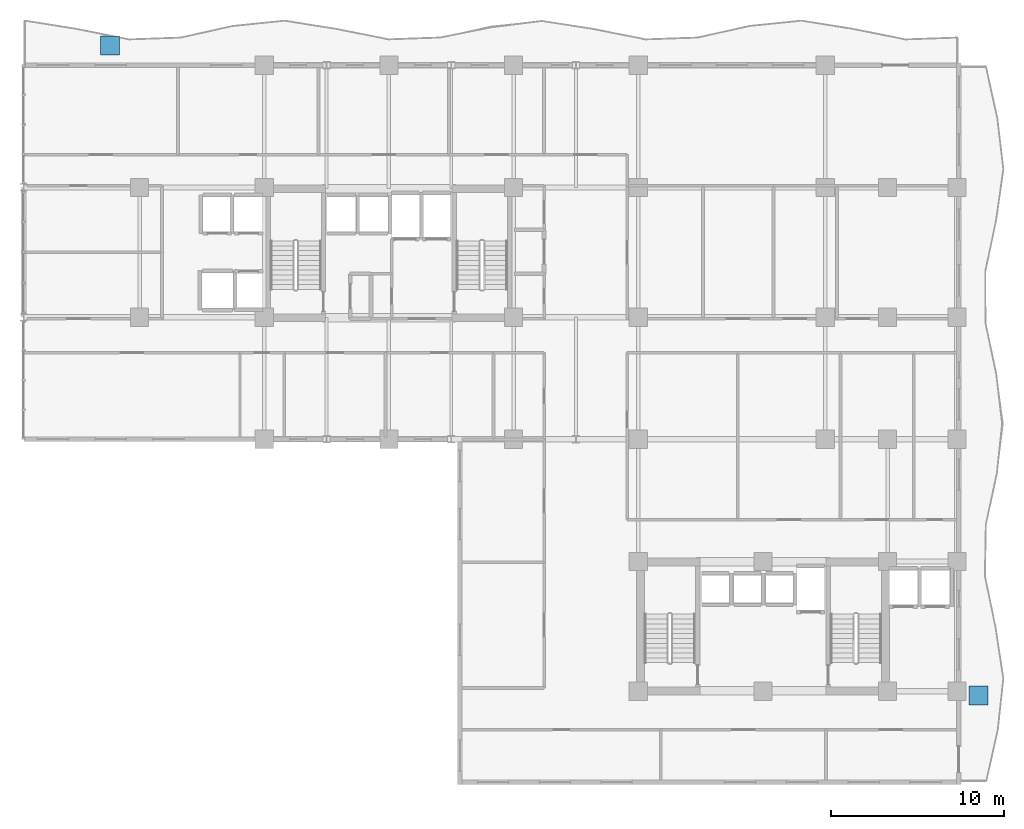
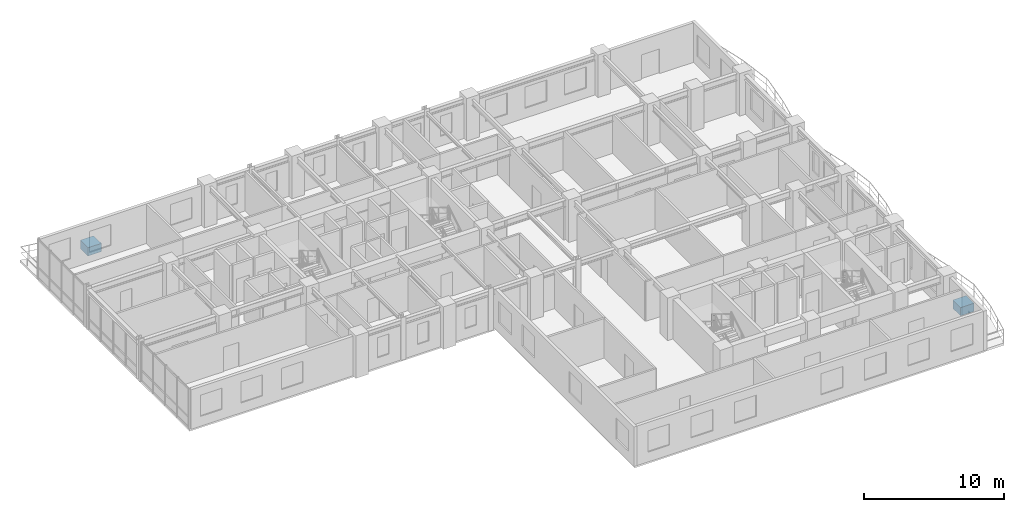
# One storey, part 16 of 19: 2 discrete accessories.
"""IFC4 building model written with IfcOpenShell, lengths in metres."""

from ifc_helpers import new_model, si_unit, direction, frame, origin, origin_2d, place, context, subcontext, project, spatial, rectangle, extrude, source, transform, mapped, material, type_object, element, save


model = new_model("IFC4")

# Units and contexts
model_context = context("Model", 3, precision=1e-05, world=origin(), true_north=direction((0.0, 1.0)))
body_context = subcontext(model_context, "Body", "Model", "MODEL_VIEW")
ifc_project = project(units=[si_unit("LENGTHUNIT", "METRE"), si_unit("AREAUNIT", "SQUARE_METRE"), si_unit("VOLUMEUNIT", "CUBIC_METRE"), si_unit("PLANEANGLEUNIT", "RADIAN"), si_unit("MASSUNIT", "GRAM", prefix="KILO")], contexts=[model_context])

# Site, building, storey
site_placement = place(None, origin())
site = spatial("IfcSite", under=ifc_project, at=site_placement, CompositionType="ELEMENT")
building_placement = place(site_placement, origin())
building = spatial("IfcBuilding", under=site, at=building_placement, Name="Kaliganga Portal Commons", CompositionType="ELEMENT")
storey_placement = place(building_placement, frame((0.0, 0.0, 140.199951171875)))
storey = spatial("IfcBuildingStorey", under=building, at=storey_placement, Name="L35", CompositionType="ELEMENT", Elevation=140.199951171875)

# Discrete accessories
ifc_material = material(Name="Precast concrete C40/50", Category="concrete")
discrete_accessory_type = type_object("IfcDiscreteAccessoryType", Name="DAC-PLANTER-RC", PredefinedType="USERDEFINED", material=ifc_material)
shared_shape = source(origin(), body_context, "Body", "SweptSolid", [
    extrude(rectangle(XDim=1.10009765625, YDim=1.10009765625, at=origin_2d()), origin(), (0.0, 0.0, 1.0), 0.719970703125),
])
for number, where, z_axis, x_axis, name in (
    (1, (5.5, 44.35009765625, 0.0), (0.0, 0.0, 1.0), (1.0, 0.0, 0.0), "Structural Tree Planter L35 balc_north"),
    (2, (55.64990234375, 6.800048828125, 0.0), (0.0, 0.0, 1.0), (1.0, 0.0, 0.0), "Structural Tree Planter L35 balc_east"),
):
    element("IfcDiscreteAccessory", number, at=place(storey_placement, frame(where, z_axis=z_axis, x_axis=x_axis)), inside=storey, type_object=discrete_accessory_type, Name=name, ObjectType="PLANTER", PredefinedType="USERDEFINED", context=body_context, shape_type="MappedRepresentation", body=[
        mapped(shared_shape, transform((0.0, 0.0, 0.0), x_axis=(1.0, 0.0, 0.0), y_axis=(0.0, 1.0, 0.0), z_axis=(0.0, 0.0, 1.0), scale=1.0)),
    ])

save(model, "model.ifc")
